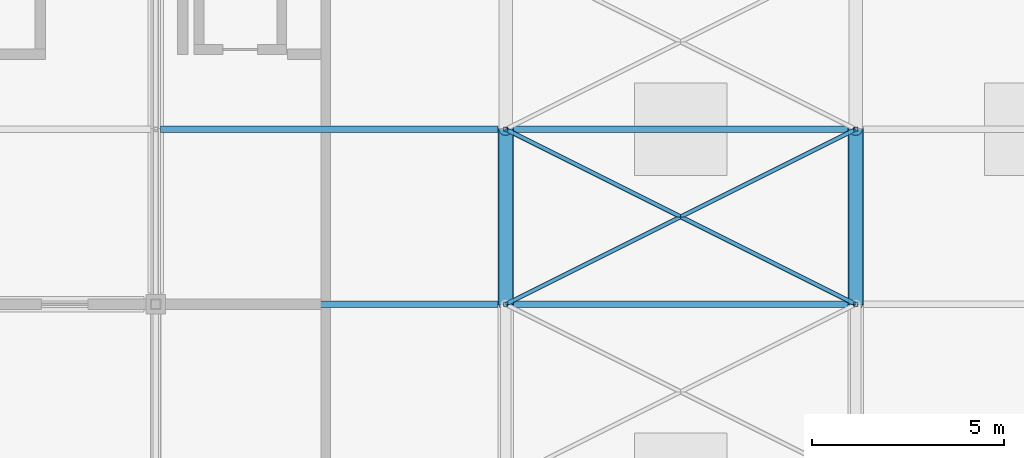
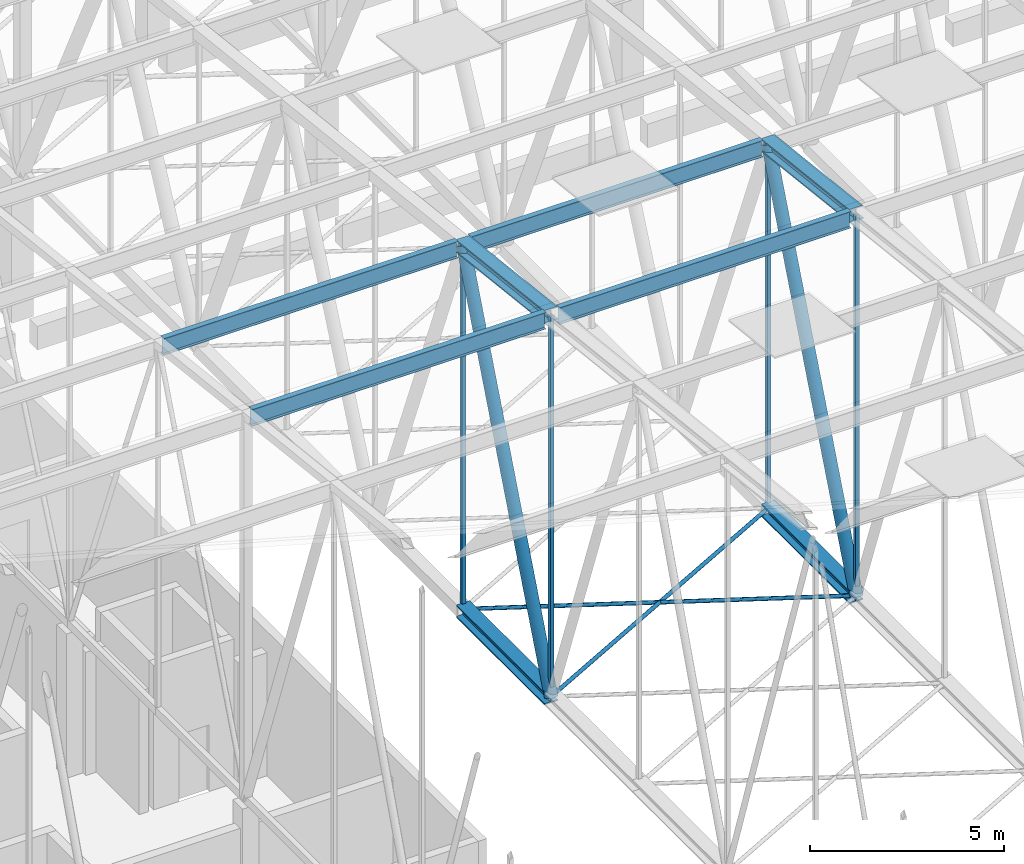
# One storey, part 215 of 500: 16 members.
"""IFC4 building model written with IfcOpenShell, lengths in metres."""

from ifc_helpers import new_model, si_unit, direction, frame, origin, origin_2d, place, context, subcontext, project, spatial, hollow_rectangle, hollow_circle, i_section, extrude, material, material_profile, profile_set, type_object, element, save


model = new_model("IFC4")

# Units and contexts
model_context = context("Model", 3, precision=1e-05, world=origin(), true_north=direction((0.0, 1.0)))
body_context = subcontext(model_context, "Body", "Model", "MODEL_VIEW")
ifc_project = project(units=[si_unit("LENGTHUNIT", "METRE"), si_unit("AREAUNIT", "SQUARE_METRE"), si_unit("VOLUMEUNIT", "CUBIC_METRE"), si_unit("PLANEANGLEUNIT", "RADIAN"), si_unit("MASSUNIT", "GRAM", prefix="KILO")], contexts=[model_context])

# Site, building, storey
site_placement = place(None, origin())
site = spatial("IfcSite", under=ifc_project, at=site_placement, CompositionType="ELEMENT")
building_placement = place(site_placement, origin())
building = spatial("IfcBuilding", under=site, at=building_placement, Name="Shirokan Park Arena", CompositionType="ELEMENT")
storey_placement = place(building_placement, frame((0.0, 0.0, 29.1201171875)))
storey = spatial("IfcBuildingStorey", under=building, at=storey_placement, Name="L06", CompositionType="ELEMENT", Elevation=29.1201171875)

# Members
ifc_material_1 = material(Name="Steel ASTM A992", Category="steel")
ifc_material_profile_1 = material_profile(ifc_material_1, i_section(OverallWidth=0.40087890625, OverallDepth=0.39892578125, WebThickness=0.02490234375, FlangeThickness=0.03955078125, at=origin_2d()), Name="W360X314")
ifc_profile_set_1 = profile_set([ifc_material_profile_1], Name="Steel ASTM A992")
member_type_1 = type_object("IfcMemberType", Name="Bottom chord W360X314", PredefinedType="CHORD", material=ifc_profile_set_1)
for number, where, z_axis, x_axis, name in (
    (1, (45.5, 72.800048828125, 4.677001953125), (0.0, 1.0, 0.0), (-1.0, 0.0, 0.0), "Truss T06 bottom chord 19"),
    (2, (54.60009765625, 72.800048828125, 4.677001953125), (0.0, 1.0, 0.0), (-1.0, 0.0, 0.0), "Truss T07 bottom chord 19"),
):
    element("IfcMember", number, at=place(storey_placement, frame(where, z_axis=z_axis, x_axis=x_axis)), inside=storey, type_object=member_type_1, Name=name, PredefinedType="CHORD", context=body_context, shape_type="SweptSolid", body=[
        extrude(i_section(OverallWidth=0.40087890625, OverallDepth=0.39892578125, WebThickness=0.02490234375, FlangeThickness=0.03955078125, at=origin_2d()), origin(), (0.0, 0.0, 1.0), 4.550048828125),
    ])
ifc_material_2 = material(Name="Steel ASTM A500 Grade C", Category="steel")
ifc_material_profile_2 = material_profile(ifc_material_2, hollow_circle(Radius=0.056884765625, WallThickness=0.006103515625, at=origin_2d()), Name="HSS114.3X6")
ifc_profile_set_2 = profile_set([ifc_material_profile_2], Name="Steel ASTM A500 Grade C")
member_type_2 = type_object("IfcMemberType", Name="Plan bracing HSS114.3X6", PredefinedType="BRACE", material=ifc_profile_set_2)
for number, where, z_axis, x_axis, name in (
    (3, (45.5, 72.800048828125, 4.677001953125), (0.894427191, 0.4472135955, 0.0), (-0.4472135955, 0.894427191, 0.0), "Plan bracing bay 6 panel 19 A"),
    (4, (54.60009765625, 72.800048828125, 4.677001953125), (-0.894427191, 0.4472135955, 0.0), (-0.4472135955, -0.894427191, 0.0), "Plan bracing bay 6 panel 19 B"),
):
    element("IfcMember", number, at=place(storey_placement, frame(where, z_axis=z_axis, x_axis=x_axis)), inside=storey, type_object=member_type_2, Name=name, PredefinedType="BRACE", context=body_context, shape_type="SweptSolid", body=[
        extrude(hollow_circle(Radius=0.056884765625, WallThickness=0.006103515625, at=origin_2d()), origin(), (0.0, 0.0, 1.0), 10.17431640625),
    ])
ifc_material_profile_3 = material_profile(ifc_material_1, i_section(OverallWidth=0.166015625, OverallDepth=0.528076171875, WebThickness=0.009765625, FlangeThickness=0.013671875, at=origin_2d()), Name="W530X74")
ifc_profile_set_3 = profile_set([ifc_material_profile_3], Name="Steel ASTM A992")
member_type_3 = type_object("IfcMemberType", Name="Purlin W530X74", PredefinedType="PURLIN", material=ifc_profile_set_3)
member_1_placement = place(storey_placement, frame((36.527099609375, 72.800048828125, 16.64599609375), z_axis=(1.0, 0.0, 0.0), x_axis=(0.0, 1.0, 0.0)))
element("IfcMember", 5, at=member_1_placement, inside=storey, type_object=member_type_3, Name="Purlin 19 bay 5", PredefinedType="PURLIN", context=body_context, shape_type="SweptSolid", body=[
    extrude(i_section(OverallWidth=0.166015625, OverallDepth=0.528076171875, WebThickness=0.009765625, FlangeThickness=0.013671875, at=origin_2d()), origin(), (0.0, 0.0, 1.0), 8.7724609375),
])
member_2_placement = place(storey_placement, frame((45.700439453125, 72.800048828125, 16.64599609375), z_axis=(1.0, 0.0, 0.0), x_axis=(0.0, 1.0, 0.0)))
element("IfcMember", 6, at=member_2_placement, inside=storey, type_object=member_type_3, Name="Purlin 19 bay 6", PredefinedType="PURLIN", context=body_context, shape_type="SweptSolid", body=[
    extrude(i_section(OverallWidth=0.166015625, OverallDepth=0.528076171875, WebThickness=0.009765625, FlangeThickness=0.013671875, at=origin_2d()), origin(), (0.0, 0.0, 1.0), 8.698974609375),
])
member_3_placement = place(storey_placement, frame((36.527099609375, 77.35009765625, 16.1259765625), z_axis=(1.0, 0.0, 0.0), x_axis=(0.0, 1.0, 0.0)))
element("IfcMember", 7, at=member_3_placement, inside=storey, type_object=member_type_3, Name="Purlin 20 bay 5", PredefinedType="PURLIN", context=body_context, shape_type="SweptSolid", body=[
    extrude(i_section(OverallWidth=0.166015625, OverallDepth=0.528076171875, WebThickness=0.009765625, FlangeThickness=0.013671875, at=origin_2d()), origin(), (0.0, 0.0, 1.0), 8.7724609375),
])
member_4_placement = place(storey_placement, frame((45.700439453125, 77.35009765625, 16.1259765625), z_axis=(1.0, 0.0, 0.0), x_axis=(0.0, 1.0, 0.0)))
element("IfcMember", 8, at=member_4_placement, inside=storey, type_object=member_type_3, Name="Purlin 20 bay 6", PredefinedType="PURLIN", context=body_context, shape_type="SweptSolid", body=[
    extrude(i_section(OverallWidth=0.166015625, OverallDepth=0.528076171875, WebThickness=0.009765625, FlangeThickness=0.013671875, at=origin_2d()), origin(), (0.0, 0.0, 1.0), 8.698974609375),
])
ifc_material_profile_4 = material_profile(ifc_material_1, i_section(OverallWidth=0.40087890625, OverallDepth=0.39892578125, WebThickness=0.02490234375, FlangeThickness=0.03955078125, at=origin_2d()), Name="W360X314")
ifc_profile_set_4 = profile_set([ifc_material_profile_4], Name="Steel ASTM A992")
member_type_4 = type_object("IfcMemberType", Name="Top chord W360X314", PredefinedType="CHORD", material=ifc_profile_set_4)
for number, where, z_axis, x_axis, name in (
    (9, (45.5, 72.800048828125, 16.701416015625), (0.0, 0.993532328996, -0.113549598152), (-1.0, 0.0, 0.0), "Truss T06 top chord 19"),
    (10, (54.60009765625, 72.800048828125, 16.701416015625), (0.0, 0.993532328996, -0.113549598152), (-1.0, 0.0, 0.0), "Truss T07 top chord 19"),
):
    element("IfcMember", number, at=place(storey_placement, frame(where, z_axis=z_axis, x_axis=x_axis)), inside=storey, type_object=member_type_4, Name=name, PredefinedType="CHORD", context=body_context, shape_type="SweptSolid", body=[
        extrude(i_section(OverallWidth=0.40087890625, OverallDepth=0.39892578125, WebThickness=0.02490234375, FlangeThickness=0.03955078125, at=origin_2d()), origin(), (0.0, 0.0, 1.0), 4.57958984375),
    ])
ifc_material_profile_5 = material_profile(ifc_material_2, hollow_circle(Radius=0.177978515625, WallThickness=0.0126953125, at=origin_2d()), Name="HSS355.6X12.7")
ifc_profile_set_5 = profile_set([ifc_material_profile_5], Name="Steel ASTM A500 Grade C")
member_type_5 = type_object("IfcMemberType", Name="Truss diagonal HSS355.6X12.7", PredefinedType="BRACE", material=ifc_profile_set_5)
for number, where, z_axis, x_axis, name in (
    (11, (45.5, 72.800048828125, 4.677001953125), (0.0, 0.367784702528, 0.929910970248), (-1.0, 0.0, 0.0), "Truss T06 diagonal 19"),
    (12, (54.60009765625, 72.800048828125, 4.677001953125), (0.0, 0.367784702528, 0.929910970248), (-1.0, 0.0, 0.0), "Truss T07 diagonal 19"),
):
    element("IfcMember", number, at=place(storey_placement, frame(where, z_axis=z_axis, x_axis=x_axis)), inside=storey, type_object=member_type_5, Name=name, PredefinedType="BRACE", context=body_context, shape_type="SweptSolid", body=[
        extrude(hollow_circle(Radius=0.177978515625, WallThickness=0.0126953125, at=origin_2d()), origin(), (0.0, 0.0, 1.0), 12.37158203125),
    ])
ifc_material_profile_6 = material_profile(ifc_material_2, hollow_rectangle(XDim=0.114013671875, YDim=0.114013671875, WallThickness=0.00634765625, at=origin_2d()), Name="HSS114.3X114.3X6.4")
ifc_profile_set_6 = profile_set([ifc_material_profile_6], Name="Steel ASTM A500 Grade C")
member_type_6 = type_object("IfcMemberType", Name="Truss post HSS114.3X114.3X6.4", PredefinedType="POST", material=ifc_profile_set_6)
member_5_placement = place(storey_placement, frame((45.5, 72.800048828125, 4.677001953125), z_axis=(0.0, 0.0, 1.0), x_axis=(1.0, 0.0, 0.0)))
element("IfcMember", 13, at=member_5_placement, inside=storey, type_object=member_type_6, Name="Truss T06 post 19", PredefinedType="POST", context=body_context, shape_type="SweptSolid", body=[
    extrude(hollow_rectangle(XDim=0.114013671875, YDim=0.114013671875, WallThickness=0.00634765625, at=origin_2d()), origin(), (0.0, 0.0, 1.0), 12.0244140625),
])
member_6_placement = place(storey_placement, frame((45.5, 77.35009765625, 4.677001953125), z_axis=(0.0, 0.0, 1.0), x_axis=(1.0, 0.0, 0.0)))
element("IfcMember", 14, at=member_6_placement, inside=storey, type_object=member_type_6, Name="Truss T06 post 20", PredefinedType="POST", context=body_context, shape_type="SweptSolid", body=[
    extrude(hollow_rectangle(XDim=0.114013671875, YDim=0.114013671875, WallThickness=0.00634765625, at=origin_2d()), origin(), (0.0, 0.0, 1.0), 11.50439453125),
])
member_7_placement = place(storey_placement, frame((54.60009765625, 72.800048828125, 4.677001953125), z_axis=(0.0, 0.0, 1.0), x_axis=(1.0, 0.0, 0.0)))
element("IfcMember", 15, at=member_7_placement, inside=storey, type_object=member_type_6, Name="Truss T07 post 19", PredefinedType="POST", context=body_context, shape_type="SweptSolid", body=[
    extrude(hollow_rectangle(XDim=0.114013671875, YDim=0.114013671875, WallThickness=0.00634765625, at=origin_2d()), origin(), (0.0, 0.0, 1.0), 12.0244140625),
])
member_8_placement = place(storey_placement, frame((54.60009765625, 77.35009765625, 4.677001953125), z_axis=(0.0, 0.0, 1.0), x_axis=(1.0, 0.0, 0.0)))
element("IfcMember", 16, at=member_8_placement, inside=storey, type_object=member_type_6, Name="Truss T07 post 20", PredefinedType="POST", context=body_context, shape_type="SweptSolid", body=[
    extrude(hollow_rectangle(XDim=0.114013671875, YDim=0.114013671875, WallThickness=0.00634765625, at=origin_2d()), origin(), (0.0, 0.0, 1.0), 11.50439453125),
])

save(model, "model.ifc")
